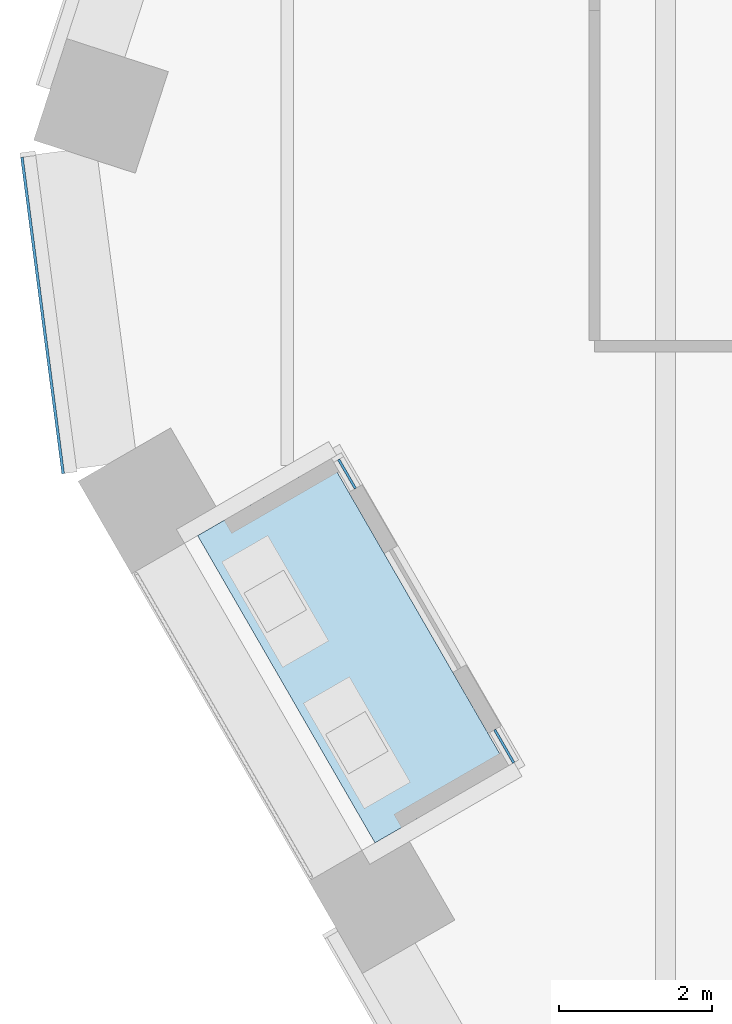
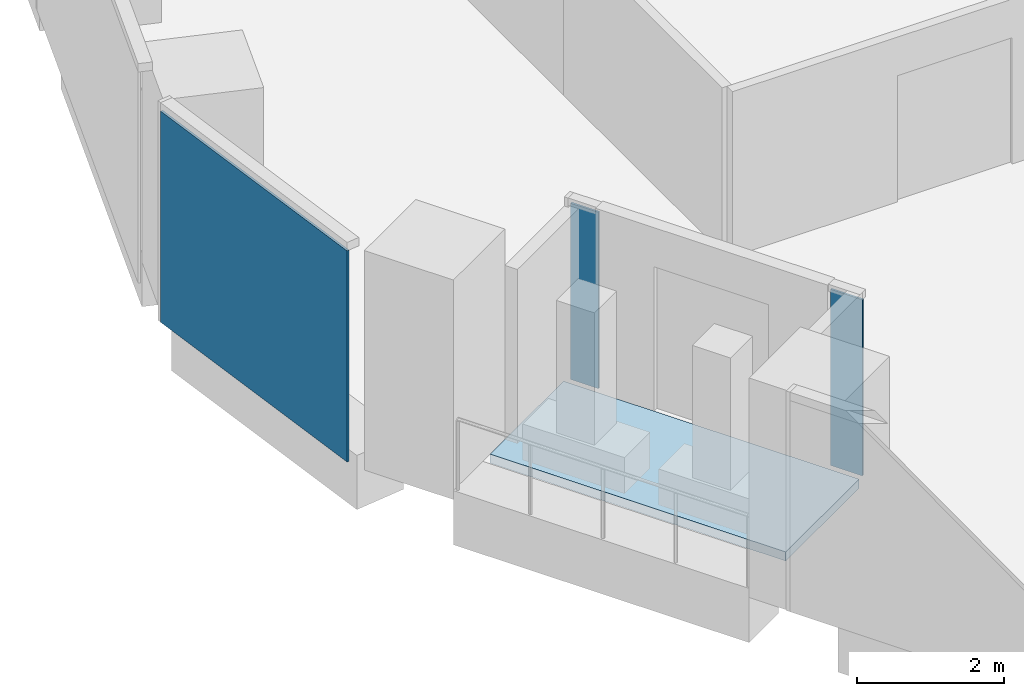
# One storey, part 12 of 24: 3 plates, 1 slab, 2 elements without a shape of their own.
"""IFC4 building model written with IfcOpenShell, lengths in metres."""

import ifcopenshell
import ifcopenshell.guid

model = None  # the IFC model being written
_history = None  # IfcOwnerHistory: only IFC2X3 demands one
_inside = {}  # id of a spatial element -> (the spatial element, [elements in it])
_under = {}  # id of a project, library or spatial element -> (it, [spatial elements below it])
_declared = {}  # id of a project -> (the project, [libraries it declares])
_typed = {}  # id of a type object -> (the type object, [elements of that type])
_made_of = {}  # id of a material, layer set ... -> (it, [elements and type objects made of it])


def new_model(schema):
    """Start an empty IFC model of exactly this schema.

    Asked for "IFC4X3", IfcOpenShell would pick the latest addendum, in which some entities
    have other attributes; the version numbers below select the first issue.
    IFC2X3 requires an IfcOwnerHistory on every rooted entity: one is made here for all.
    """
    global model, _history
    if schema == "IFC4X3":
        model = ifcopenshell.file(schema_version=(4, 3, 0, 0))
    else:
        model = ifcopenshell.file(schema=schema)
    _inside.clear()
    _under.clear()
    _declared.clear()
    _typed.clear()
    _made_of.clear()
    _history = None
    if model.schema == "IFC2X3":
        org = make("IfcOrganization", Name="unknown")
        user = make(
            "IfcPersonAndOrganization",
            ThePerson=make("IfcPerson", FamilyName="unknown"),
            TheOrganization=org,
        )
        app = make(
            "IfcApplication",
            ApplicationDeveloper=org,
            Version="unknown",
            ApplicationFullName="unknown",
            ApplicationIdentifier="unknown",
        )
        _history = make(
            "IfcOwnerHistory",
            OwningUser=user,
            OwningApplication=app,
            ChangeAction="ADDED",
            CreationDate=0,
        )
    return model


def make(cls, **values):
    """One entity of the class cls with the attributes given. An attribute that is None is left unset."""
    return model.create_entity(
        cls, **{name: value for name, value in values.items() if value is not None}
    )


def rooted(cls, **values):
    """An entity with a GlobalId (a new one), such as an element, a storey or a relation."""
    return make(cls, GlobalId=ifcopenshell.guid.new(), OwnerHistory=_history, **values)


def si_unit(unit_type, name, prefix=None):
    """IfcSIUnit, for example si_unit("LENGTHUNIT", "METRE", prefix="MILLI")."""
    return make("IfcSIUnit", UnitType=unit_type, Prefix=prefix, Name=name)


def assignment(units):
    """IfcUnitAssignment: the units of a project."""
    return None if units is None else make("IfcUnitAssignment", Units=units)


def point(xyz):
    """IfcCartesianPoint."""
    return None if xyz is None else make("IfcCartesianPoint", Coordinates=xyz)


def direction(xyz):
    """IfcDirection."""
    return None if xyz is None else make("IfcDirection", DirectionRatios=xyz)


def frame(location, z_axis=None, x_axis=None):
    """IfcAxis2Placement3D, a coordinate frame: its origin and axes. An axis left out is left unset."""
    return make(
        "IfcAxis2Placement3D",
        Location=point(location),
        Axis=direction(z_axis),
        RefDirection=direction(x_axis),
    )


def frame_2d(location, x_axis=None):
    """IfcAxis2Placement2D, a coordinate frame in the plane: its origin and x axis."""
    return make(
        "IfcAxis2Placement2D", Location=point(location), RefDirection=direction(x_axis)
    )


def origin():
    """The frame at (0, 0, 0) with its axes left unset."""
    return frame((0.0, 0.0, 0.0))


def origin_2d():
    """The frame at (0, 0) in the plane with its x axis left unset."""
    return frame_2d((0.0, 0.0))


def place(relative_to, where):
    """IfcLocalPlacement: puts the frame where relative to a parent placement (None: the world)."""
    return make(
        "IfcLocalPlacement", PlacementRelTo=relative_to, RelativePlacement=where
    )


def context(
    kind, dimensions, precision=None, world=None, true_north=None, identifier=None
):
    """IfcGeometricRepresentationContext, for example the 3D "Model" context."""
    return make(
        "IfcGeometricRepresentationContext",
        ContextIdentifier=identifier,
        ContextType=kind,
        CoordinateSpaceDimension=dimensions,
        Precision=precision,
        WorldCoordinateSystem=world,
        TrueNorth=true_north,
    )


def subcontext(parent, identifier, kind, view, scale=None):
    """IfcGeometricRepresentationSubContext, for example "Body" below "Model"."""
    return make(
        "IfcGeometricRepresentationSubContext",
        ContextIdentifier=identifier,
        ContextType=kind,
        ParentContext=parent,
        TargetScale=scale,
        TargetView=view,
    )


def project(units=None, contexts=None):
    """IfcProject with its units and contexts."""
    return rooted(
        "IfcProject",
        Name="project",
        RepresentationContexts=contexts,
        UnitsInContext=assignment(units),
    )


def spatial(cls, under=None, at=None, **own):
    """A site, building, storey or space (cls), placed at a placement, below another one or the project."""
    s = rooted(cls, ObjectPlacement=at, **own)
    if under is not None:
        _under.setdefault(under.id(), (under, []))[1].append(s)
    return s


def polyline(points):
    """IfcPolyline through the points."""
    return make("IfcPolyline", Points=[point(p) for p in points])


def profile(cls, at=None, kind="AREA", **sizes):
    """A parametric profile (cls). Its sizes go by their IFC names, for example OverallWidth=200.0."""
    return make(cls, ProfileType=kind, Position=at, **sizes)


def rectangle(**sizes):
    """IfcRectangleProfileDef."""
    return profile("IfcRectangleProfileDef", **sizes)


def outline(outer, holes=None, kind="AREA"):
    """IfcArbitraryClosedProfileDef: a profile drawn as a closed curve; with holes, ...WithVoids."""
    if holes is None:
        return make("IfcArbitraryClosedProfileDef", ProfileType=kind, OuterCurve=outer)
    return make(
        "IfcArbitraryProfileDefWithVoids",
        ProfileType=kind,
        OuterCurve=outer,
        InnerCurves=holes,
    )


def extrude(swept, where, along, depth):
    """IfcExtrudedAreaSolid: the profile swept, set in the frame where, extruded along a direction by depth."""
    return make(
        "IfcExtrudedAreaSolid",
        SweptArea=swept,
        Position=where,
        ExtrudedDirection=direction(along),
        Depth=depth,
    )


def shape(context_of_items, identifier, shape_type, items):
    """IfcShapeRepresentation: the items that make up one representation, for example the "Body"."""
    return make(
        "IfcShapeRepresentation",
        ContextOfItems=context_of_items,
        RepresentationIdentifier=identifier,
        RepresentationType=shape_type,
        Items=items,
    )


def material(Name=None, Category=None):
    """IfcMaterial."""
    return make("IfcMaterial", Name=Name, Category=Category)


def layer(
    of_material, thickness, ventilated=None, Name=None, Category=None, Priority=None
):
    """IfcMaterialLayer: one layer of a wall or slab, of a material (None: an air gap)."""
    return make(
        "IfcMaterialLayer",
        Material=of_material,
        LayerThickness=thickness,
        IsVentilated=ventilated,
        Name=Name,
        Category=Category,
        Priority=Priority,
    )


def layer_set(layers, Name=None):
    """IfcMaterialLayerSet."""
    return make("IfcMaterialLayerSet", MaterialLayers=layers, LayerSetName=Name)


def made_of(thing, what):
    """Note that an element or type object is made of a material, layer set ...; save() writes the relation."""
    if what is not None:
        _made_of.setdefault(what.id(), (what, []))[1].append(thing)
    return thing


def type_object(cls, material=None, **own):
    """A type object (cls), such as IfcWallType, which elements share."""
    return made_of(rooted(cls, **own), material)


def element(
    cls,
    number,
    at=None,
    inside=None,
    cuts=None,
    type_object=None,
    material=None,
    context=None,
    identifier="Body",
    shape_type=None,
    held_by="IfcProductDefinitionShape",
    body=None,
    shapes=None,
    **own,
):
    """One element of the class cls, such as IfcWall. Its Tag is "e" and its number.

    at: its placement. inside: the storey or other place that contains it. cuts: it is an
    opening in that element (IfcRelVoidsElement). A single representation is given by context,
    identifier, shape_type and body (its items); several are given by shapes. held_by: the class
    of the entity that holds the representations. save() writes the other relations.
    """
    e = rooted(cls, Tag="e%d" % number, ObjectPlacement=at, **own)
    if body is not None:
        shapes = [shape(context, identifier, shape_type, body)]
    if shapes is not None:
        e.Representation = make(held_by, Representations=shapes)
    if inside is not None:
        _inside.setdefault(inside.id(), (inside, []))[1].append(e)
    if cuts is not None:
        rooted(
            "IfcRelVoidsElement", RelatingBuildingElement=cuts, RelatedOpeningElement=e
        )
    if type_object is not None:
        _typed.setdefault(type_object.id(), (type_object, []))[1].append(e)
    return made_of(e, material)


def aggregate(whole, parts):
    """IfcRelAggregates: a whole, such as a stair, and the parts it consists of."""
    return rooted("IfcRelAggregates", RelatingObject=whole, RelatedObjects=parts)


def save(model, path):
    """Write the relations noted so far, then the file.

    IfcRelAggregates (storeys below a building ...), IfcRelContainedInSpatialStructure (elements
    in a storey), IfcRelDefinesByType, IfcRelAssociatesMaterial and IfcRelDeclares: one each for
    every whole, place, type object, material and project.
    """
    for whole, parts in _under.values():
        aggregate(whole, parts)
    for where, things in _inside.values():
        rooted(
            "IfcRelContainedInSpatialStructure",
            RelatedElements=things,
            RelatingStructure=where,
        )
    for kind, things in _typed.values():
        rooted("IfcRelDefinesByType", RelatedObjects=things, RelatingType=kind)
    for what, things in _made_of.values():
        rooted("IfcRelAssociatesMaterial", RelatedObjects=things, RelatingMaterial=what)
    for by, libraries in _declared.values():
        rooted("IfcRelDeclares", RelatingContext=by, RelatedDefinitions=libraries)
    model.write(path)


model = new_model("IFC4")

# Units and contexts
model_context = context("Model", 3, precision=1e-05, world=origin(), true_north=direction((0.0, 1.0)))
body_context = subcontext(model_context, "Body", "Model", "MODEL_VIEW")
ifc_project = project(units=[si_unit("LENGTHUNIT", "METRE"), si_unit("AREAUNIT", "SQUARE_METRE"), si_unit("VOLUMEUNIT", "CUBIC_METRE"), si_unit("PLANEANGLEUNIT", "RADIAN"), si_unit("MASSUNIT", "GRAM", prefix="KILO")], contexts=[model_context])

# Site, building, storey
site_placement = place(None, origin())
site = spatial("IfcSite", under=ifc_project, at=site_placement, CompositionType="ELEMENT")
building_placement = place(site_placement, origin())
building = spatial("IfcBuilding", under=site, at=building_placement, Name="Isthmus Gate Tower", CompositionType="ELEMENT")
storey_placement = place(building_placement, frame((0.0, 0.0, 159.0)))
storey = spatial("IfcBuildingStorey", under=building, at=storey_placement, Name="L39", CompositionType="ELEMENT", Elevation=159.0)

# Curtain wall, plate
ifc_material_1 = material(Name="Aluminium, pale champagne anodised", Category="aluminium")
ifc_layer_1 = layer(ifc_material_1, 0.199951171875)
ifc_layer_set_1 = layer_set([ifc_layer_1], Name="CW-1 UNITISED CURTAIN WALL 200 DEEP")
curtain_wall_type_1 = type_object("IfcCurtainWallType", Name="CW-1 UNITISED CURTAIN WALL 200 DEEP", PredefinedType="NOTDEFINED", material=ifc_layer_set_1)
curtain_wall_1_placement = place(storey_placement, origin())
curtain_wall_1 = element("IfcCurtainWall", 1, at=curtain_wall_1_placement, inside=storey, type_object=curtain_wall_type_1, Name="CW-1 NW-SW L39", PredefinedType="NOTDEFINED")
ifc_material_2 = material(Name="Laminated low-iron glass, pale blue tint", Category="glass")
ifc_layer_2 = layer(ifc_material_2, 0.035888671875)
ifc_layer_set_2 = layer_set([ifc_layer_2], Name="CW-1 CLEAR GLASS LITE 36")
plate_type_1 = type_object("IfcPlateType", Name="CW-1 CLEAR GLASS LITE 36", PredefinedType="CURTAIN_PANEL", material=ifc_layer_set_2)
plate_1_placement = place(storey_placement, frame((-29.234619140625, -3.9990234375, 0.0), z_axis=(0.0, 0.0, 1.0), x_axis=(0.129164534, -0.991623175988, 0.0)))
plate_1 = element("IfcPlate", 2, at=plate_1_placement, type_object=plate_type_1, Name="CW-1 glass lite", PredefinedType="CURTAIN_PANEL", context=body_context, shape_type="SweptSolid", body=[
    extrude(rectangle(XDim=4.181396484375, YDim=0.035888671875, at=origin_2d()), origin(), (0.0, 0.0, 1.0), 3.510009765625),
])
aggregate(curtain_wall_1, [plate_1])

# Curtain wall, plates
ifc_material_3 = material(Name="Aluminium, pale champagne anodised", Category="aluminium")
ifc_layer_3 = layer(ifc_material_3, 0.14990234375)
ifc_layer_set_3 = layer_set([ifc_layer_3], Name="CW-6 LOGGIA BACK WALL GLAZING 150 DEEP")
curtain_wall_type_2 = type_object("IfcCurtainWallType", Name="CW-6 LOGGIA BACK WALL GLAZING 150 DEEP", PredefinedType="NOTDEFINED", material=ifc_layer_set_3)
curtain_wall_2_placement = place(storey_placement, origin())
curtain_wall_2 = element("IfcCurtainWall", 3, at=curtain_wall_2_placement, inside=storey, type_object=curtain_wall_type_2, Name="CW-6 SW L39", PredefinedType="NOTDEFINED")
ifc_material_4 = material(Name="Laminated low-iron glass, clear", Category="glass")
ifc_layer_4 = layer(ifc_material_4, 0.031982421875)
ifc_layer_set_4 = layer_set([ifc_layer_4], Name="CW-6 CLEAR GLASS LITE 32")
plate_type_2 = type_object("IfcPlateType", Name="CW-6 CLEAR GLASS LITE 32", PredefinedType="CURTAIN_PANEL", material=ifc_layer_set_4)
plate_2_placement = place(storey_placement, frame((-25.243408203125, -6.077392578125, 0.0), z_axis=(0.0, 0.0, 1.0), x_axis=(0.5, -0.866025403784, 0.0)))
plate_2 = element("IfcPlate", 4, at=plate_2_placement, type_object=plate_type_2, Name="CW-6 glass lite", PredefinedType="CURTAIN_PANEL", context=body_context, shape_type="SweptSolid", body=[
    extrude(rectangle(XDim=0.43994140625, YDim=0.031982421875, at=origin_2d()), origin(), (0.0, 0.0, 1.0), 2.929931640625),
])
plate_3_placement = place(storey_placement, frame((-23.183349609375, -9.6455078125, 0.0), z_axis=(0.0, 0.0, 1.0), x_axis=(0.5, -0.866025403784, 0.0)))
plate_3 = element("IfcPlate", 5, at=plate_3_placement, type_object=plate_type_2, Name="CW-6 glass lite", PredefinedType="CURTAIN_PANEL", context=body_context, shape_type="SweptSolid", body=[
    extrude(rectangle(XDim=0.5, YDim=0.031982421875, at=origin_2d()), origin(), (0.0, 0.0, 1.0), 2.929931640625),
])
aggregate(curtain_wall_2, [plate_2, plate_3])

# Slab
ifc_material_5 = material(Name="Concrete f'c 50 MPa", Category="concrete")
ifc_layer_5 = layer(ifc_material_5, 0.14990234375)
ifc_layer_set_5 = layer_set([ifc_layer_5], Name="LOGGIA FLOOR SLAB 150")
slab_type = type_object("IfcSlabType", Name="LOGGIA FLOOR SLAB 150", PredefinedType="FLOOR", material=ifc_layer_set_5)
slab_placement = place(storey_placement, frame((0.0, 0.0, -0.14990234375)))
element("IfcSlab", 6, at=slab_placement, inside=storey, type_object=slab_type, Name="LOGGIA FLOOR", PredefinedType="FLOOR", context=body_context, shape_type="SweptSolid", body=[
    extrude(outline(polyline([(-27.201904296875, -6.884765625), (-24.876953125, -10.911865234375), (-23.144775390625, -9.911865234375), (-25.469970703125, -5.884765625), (-27.201904296875, -6.884765625)])), origin(), (0.0, 0.0, 1.0), 0.14990234375),
])

save(model, "model.ifc")
